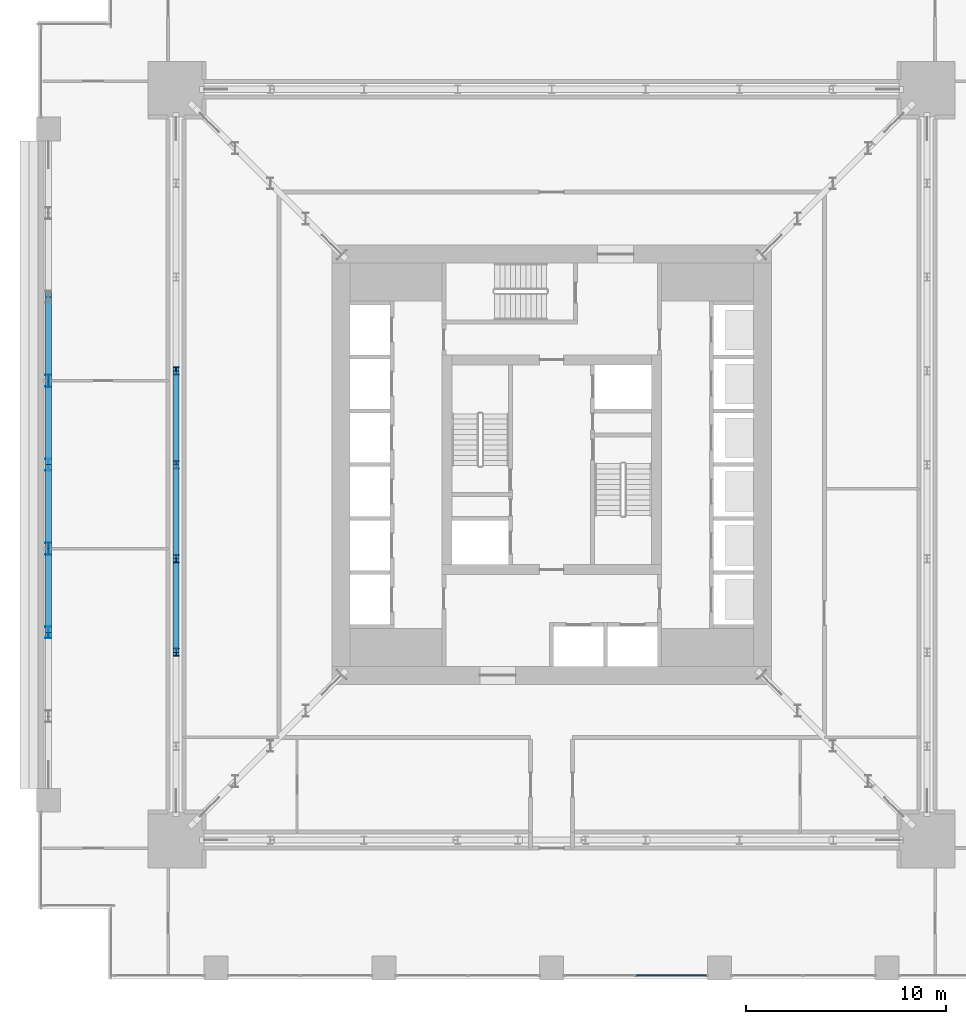
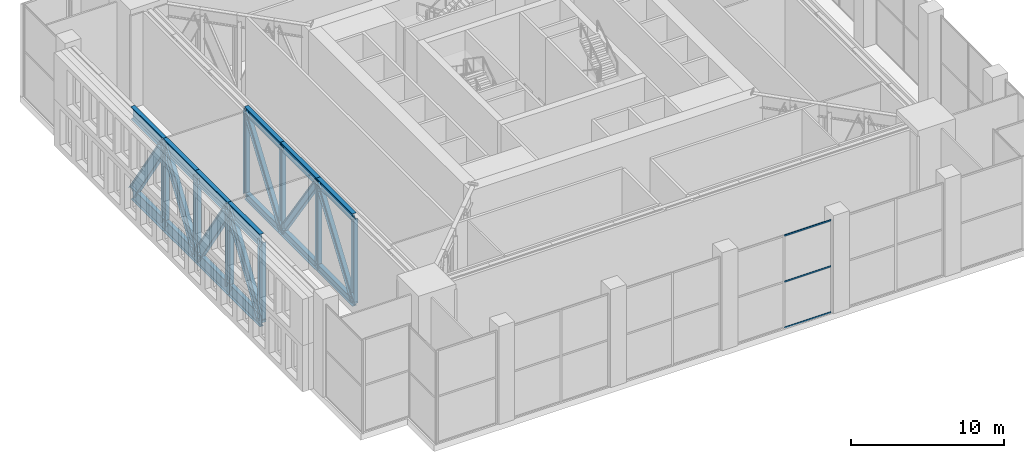
# One storey, part 4 of 21: 32 members, 1 element without a shape of its own.
"""IFC4 building model written with IfcOpenShell, lengths in metres."""

from ifc_helpers import new_model, si_unit, direction, frame, origin, origin_2d, place, context, subcontext, project, spatial, rectangle, i_section, extrude, material, material_profile, profile_set, type_object, element, aggregate, save


model = new_model("IFC4")

# Units and contexts
model_context = context("Model", 3, precision=1e-05, world=origin(), true_north=direction((0.0, 1.0)))
body_context = subcontext(model_context, "Body", "Model", "MODEL_VIEW")
ifc_project = project(units=[si_unit("LENGTHUNIT", "METRE"), si_unit("AREAUNIT", "SQUARE_METRE"), si_unit("VOLUMEUNIT", "CUBIC_METRE"), si_unit("PLANEANGLEUNIT", "RADIAN"), si_unit("MASSUNIT", "GRAM", prefix="KILO")], contexts=[model_context])

# Site, building, storey
site_placement = place(None, origin())
site = spatial("IfcSite", under=ifc_project, at=site_placement, CompositionType="ELEMENT")
building_placement = place(site_placement, origin())
building = spatial("IfcBuilding", under=site, at=building_placement, Name="Khepri Terraces", CompositionType="ELEMENT")
storey_placement = place(building_placement, frame((0.0, 0.0, 126.0)))
storey = spatial("IfcBuildingStorey", under=building, at=storey_placement, Name="L30", CompositionType="ELEMENT", Elevation=126.0)

# Members
ifc_material_1 = material(Name="Steel S355", Category="steel")
ifc_material_profile_1 = material_profile(ifc_material_1, i_section(OverallWidth=0.304931640625, OverallDepth=0.6201171875, WebThickness=0.02099609375, FlangeThickness=0.0400390625, FilletRadius=0.027099609375, at=origin_2d()), Name="Steel S355", Category="steel")
ifc_profile_set_1 = profile_set([ifc_material_profile_1], Name="Steel S355")
member_type_1 = type_object("IfcMemberType", Name="Belt truss chord HEM 600", PredefinedType="CHORD", material=ifc_profile_set_1)
for number, where, z_axis, x_axis, name in (
    (1, (-18.800048828125, 4.699951171875, 0.31005859375), (0.0, -1.0, 0.0), (1.0, 0.0, 0.0), "Belt truss chord BT-30-W bottom 4"),
    (2, (-18.800048828125, 4.699951171875, 7.070068359375), (0.0, -1.0, 0.0), (1.0, 0.0, 0.0), "Belt truss chord BT-30-W top 4"),
    (3, (-18.800048828125, 0.0, 0.31005859375), (0.0, -1.0, 0.0), (1.0, 0.0, 0.0), "Belt truss chord BT-30-W bottom 5"),
    (4, (-18.800048828125, 0.0, 7.070068359375), (0.0, -1.0, 0.0), (1.0, 0.0, 0.0), "Belt truss chord BT-30-W top 5"),
    (5, (-18.800048828125, -4.699951171875, 0.31005859375), (0.0, -1.0, 0.0), (1.0, 0.0, 0.0), "Belt truss chord BT-30-W bottom 6"),
    (6, (-18.800048828125, -4.699951171875, 7.070068359375), (0.0, -1.0, 0.0), (1.0, 0.0, 0.0), "Belt truss chord BT-30-W top 6"),
):
    element("IfcMember", number, at=place(storey_placement, frame(where, z_axis=z_axis, x_axis=x_axis)), inside=storey, type_object=member_type_1, Name=name, PredefinedType="CHORD", context=body_context, shape_type="SweptSolid", body=[
        extrude(i_section(OverallWidth=0.304931640625, OverallDepth=0.6201171875, WebThickness=0.02099609375, FlangeThickness=0.0400390625, FilletRadius=0.027099609375, at=origin_2d()), origin(), (0.0, 0.0, 1.0), 4.699951171875),
    ])
ifc_material_profile_2 = material_profile(ifc_material_1, i_section(OverallWidth=0.300048828125, OverallDepth=0.5, WebThickness=0.014404296875, FlangeThickness=0.028076171875, FilletRadius=0.027099609375, at=origin_2d()), Name="Steel S355", Category="steel")
ifc_profile_set_2 = profile_set([ifc_material_profile_2], Name="Steel S355")
member_type_2 = type_object("IfcMemberType", Name="Belt truss diagonal HEB 500", PredefinedType="BRACE", material=ifc_profile_set_2)
for number, where, z_axis, x_axis, name in (
    (7, (-18.800048828125, 4.699951171875, 7.070068359375), (0.0, -0.570846397071, -0.82105687437), (1.0, 0.0, 0.0), "Belt truss diagonal BT-30-W 4"),
    (8, (-18.800048828125, 0.0, 0.31005859375), (0.0, -0.570846397071, 0.82105687437), (1.0, 0.0, 0.0), "Belt truss diagonal BT-30-W 5"),
    (9, (-18.800048828125, -4.699951171875, 7.070068359375), (0.0, -0.570846397071, -0.82105687437), (1.0, 0.0, 0.0), "Belt truss diagonal BT-30-W 6"),
):
    element("IfcMember", number, at=place(storey_placement, frame(where, z_axis=z_axis, x_axis=x_axis)), inside=storey, type_object=member_type_2, Name=name, PredefinedType="BRACE", context=body_context, shape_type="SweptSolid", body=[
        extrude(i_section(OverallWidth=0.300048828125, OverallDepth=0.5, WebThickness=0.014404296875, FlangeThickness=0.028076171875, FilletRadius=0.027099609375, at=origin_2d()), origin(), (0.0, 0.0, 1.0), 8.2333984375),
    ])
ifc_material_profile_3 = material_profile(ifc_material_1, i_section(OverallWidth=0.300048828125, OverallDepth=0.39990234375, WebThickness=0.013427734375, FlangeThickness=0.02392578125, FilletRadius=0.027099609375, at=origin_2d()), Name="Steel S355", Category="steel")
ifc_profile_set_3 = profile_set([ifc_material_profile_3], Name="Steel S355")
member_type_3 = type_object("IfcMemberType", Name="Belt truss post HEB 400", PredefinedType="POST", material=ifc_profile_set_3)
for number, where, z_axis, x_axis, name in (
    (10, (-18.800048828125, 4.699951171875, 0.31005859375), (0.0, 0.0, 1.0), (1.0, 0.0, 0.0), "Belt truss post BT-30-W 3"),
    (11, (-18.800048828125, 0.0, 0.31005859375), (0.0, 0.0, 1.0), (1.0, 0.0, 0.0), "Belt truss post BT-30-W 4"),
    (12, (-18.800048828125, -4.699951171875, 0.31005859375), (0.0, 0.0, 1.0), (1.0, 0.0, 0.0), "Belt truss post BT-30-W 5"),
    (13, (-18.800048828125, -9.39990234375, 0.31005859375), (0.0, 0.0, 1.0), (1.0, 0.0, 0.0), "Belt truss post BT-30-W 6"),
):
    element("IfcMember", number, at=place(storey_placement, frame(where, z_axis=z_axis, x_axis=x_axis)), inside=storey, type_object=member_type_3, Name=name, PredefinedType="POST", context=body_context, shape_type="SweptSolid", body=[
        extrude(i_section(OverallWidth=0.300048828125, OverallDepth=0.39990234375, WebThickness=0.013427734375, FlangeThickness=0.02392578125, FilletRadius=0.027099609375, at=origin_2d()), origin(), (0.0, 0.0, 1.0), 6.760009765625),
    ])

# Curtain wall, members
ifc_material_2 = material(Name="Anodised aluminium bronze curtain wall", Category="aluminium")
curtain_wall_type = type_object("IfcCurtainWallType", Name="CW-SYS3-SKY", PredefinedType="NOTDEFINED", material=ifc_material_2)
curtain_wall_placement = place(storey_placement, origin())
curtain_wall = element("IfcCurtainWall", 14, at=curtain_wall_placement, inside=storey, type_object=curtain_wall_type, Name="Curtain wall CW3 L30 S", PredefinedType="NOTDEFINED")
ifc_material_3 = material(Name="Anodised aluminium bronze", Category="aluminium")
ifc_material_profile_4 = material_profile(ifc_material_3, rectangle(XDim=0.06005859375, YDim=0.1201171875, at=origin_2d()), Name="Anodised aluminium bronze", Category="aluminium")
ifc_profile_set_4 = profile_set([ifc_material_profile_4], Name="Anodised aluminium bronze")
member_type_4 = type_object("IfcMemberType", Name="CW-TRANSOM-60x120", PredefinedType="USERDEFINED", material=ifc_profile_set_4)
member_1_placement = place(storey_placement, frame((4.22998046875, -25.570068359375, 0.030029296875), z_axis=(1.0, 0.0, 0.0), x_axis=(0.0, 1.0, 0.0)))
member_1 = element("IfcMember", 15, at=member_1_placement, type_object=member_type_4, Name="CW3 transom 2.1", ObjectType="TRANSOM", PredefinedType="USERDEFINED", context=body_context, shape_type="SweptSolid", body=[
    extrude(rectangle(XDim=0.06005859375, YDim=0.1201171875, at=origin_2d()), origin(), (0.0, 0.0, 1.0), 3.510009765625),
])
member_2_placement = place(storey_placement, frame((4.22998046875, -25.570068359375, 3.68994140625), z_axis=(1.0, 0.0, 0.0), x_axis=(0.0, 1.0, 0.0)))
member_2 = element("IfcMember", 16, at=member_2_placement, type_object=member_type_4, Name="CW3 transom 2.2", ObjectType="TRANSOM", PredefinedType="USERDEFINED", context=body_context, shape_type="SweptSolid", body=[
    extrude(rectangle(XDim=0.06005859375, YDim=0.1201171875, at=origin_2d()), origin(), (0.0, 0.0, 1.0), 3.510009765625),
])
member_3_placement = place(storey_placement, frame((4.22998046875, -25.570068359375, 7.35009765625), z_axis=(1.0, 0.0, 0.0), x_axis=(0.0, 1.0, 0.0)))
member_3 = element("IfcMember", 17, at=member_3_placement, type_object=member_type_4, Name="CW3 transom 2.3", ObjectType="TRANSOM", PredefinedType="USERDEFINED", context=body_context, shape_type="SweptSolid", body=[
    extrude(rectangle(XDim=0.06005859375, YDim=0.1201171875, at=origin_2d()), origin(), (0.0, 0.0, 1.0), 3.510009765625),
])
aggregate(curtain_wall, [member_1, member_2, member_3])

# Members
ifc_material_profile_5 = material_profile(ifc_material_1, i_section(OverallWidth=0.302001953125, OverallDepth=1.008056640625, WebThickness=0.02099609375, FlangeThickness=0.0400390625, FilletRadius=0.030029296875, at=origin_2d()), Name="Steel S355", Category="steel")
ifc_profile_set_5 = profile_set([ifc_material_profile_5], Name="Steel S355")
member_type_5 = type_object("IfcMemberType", Name="Transfer truss chord HEM 1000", PredefinedType="CHORD", material=ifc_profile_set_5)
for number, where, z_axis, x_axis, name in (
    (18, (-25.199951171875, 8.39990234375, 0.50390625), (0.0, -1.0, 0.0), (1.0, 0.0, 0.0), "Transfer truss chord TT-30-W bottom 3"),
    (19, (-25.199951171875, 8.39990234375, 6.8759765625), (0.0, -1.0, 0.0), (1.0, 0.0, 0.0), "Transfer truss chord TT-30-W top 3"),
    (20, (-25.199951171875, 4.199951171875, 0.50390625), (0.0, -1.0, 0.0), (1.0, 0.0, 0.0), "Transfer truss chord TT-30-W bottom 4"),
    (21, (-25.199951171875, 4.199951171875, 6.8759765625), (0.0, -1.0, 0.0), (1.0, 0.0, 0.0), "Transfer truss chord TT-30-W top 4"),
    (22, (-25.199951171875, 0.0, 0.50390625), (0.0, -1.0, 0.0), (1.0, 0.0, 0.0), "Transfer truss chord TT-30-W bottom 5"),
    (23, (-25.199951171875, 0.0, 6.8759765625), (0.0, -1.0, 0.0), (1.0, 0.0, 0.0), "Transfer truss chord TT-30-W top 5"),
    (24, (-25.199951171875, -4.199951171875, 0.50390625), (0.0, -1.0, 0.0), (1.0, 0.0, 0.0), "Transfer truss chord TT-30-W bottom 6"),
    (25, (-25.199951171875, -4.199951171875, 6.8759765625), (0.0, -1.0, 0.0), (1.0, 0.0, 0.0), "Transfer truss chord TT-30-W top 6"),
):
    element("IfcMember", number, at=place(storey_placement, frame(where, z_axis=z_axis, x_axis=x_axis)), inside=storey, type_object=member_type_5, Name=name, PredefinedType="CHORD", context=body_context, shape_type="SweptSolid", body=[
        extrude(i_section(OverallWidth=0.302001953125, OverallDepth=1.008056640625, WebThickness=0.02099609375, FlangeThickness=0.0400390625, FilletRadius=0.030029296875, at=origin_2d()), origin(), (0.0, 0.0, 1.0), 4.199951171875),
    ])
ifc_material_profile_6 = material_profile(ifc_material_1, i_section(OverallWidth=0.300048828125, OverallDepth=0.800048828125, WebThickness=0.017578125, FlangeThickness=0.032958984375, FilletRadius=0.030029296875, at=origin_2d()), Name="Steel S355", Category="steel")
ifc_profile_set_6 = profile_set([ifc_material_profile_6], Name="Steel S355")
member_type_6 = type_object("IfcMemberType", Name="Transfer truss diagonal HEB 800", PredefinedType="BRACE", material=ifc_profile_set_6)
for number, where, z_axis, x_axis, name in (
    (26, (-25.199951171875, 8.39990234375, 0.50390625), (0.0, -0.550329581828, 0.834947514138), (1.0, 0.0, 0.0), "Transfer truss diagonal TT-30-W 3"),
    (27, (-25.199951171875, 4.199951171875, 6.8759765625), (0.0, -0.550329581828, -0.834947514138), (1.0, 0.0, 0.0), "Transfer truss diagonal TT-30-W 4"),
    (28, (-25.199951171875, 0.0, 0.50390625), (0.0, -0.550329581828, 0.834947514138), (1.0, 0.0, 0.0), "Transfer truss diagonal TT-30-W 5"),
    (29, (-25.199951171875, -4.199951171875, 6.8759765625), (0.0, -0.550329581828, -0.834947514138), (1.0, 0.0, 0.0), "Transfer truss diagonal TT-30-W 6"),
):
    element("IfcMember", number, at=place(storey_placement, frame(where, z_axis=z_axis, x_axis=x_axis)), inside=storey, type_object=member_type_6, Name=name, PredefinedType="BRACE", context=body_context, shape_type="SweptSolid", body=[
        extrude(i_section(OverallWidth=0.300048828125, OverallDepth=0.800048828125, WebThickness=0.017578125, FlangeThickness=0.032958984375, FilletRadius=0.030029296875, at=origin_2d()), origin(), (0.0, 0.0, 1.0), 7.631591796875),
    ])
ifc_material_profile_7 = material_profile(ifc_material_1, i_section(OverallWidth=0.300048828125, OverallDepth=0.60009765625, WebThickness=0.015380859375, FlangeThickness=0.030029296875, FilletRadius=0.027099609375, at=origin_2d()), Name="Steel S355", Category="steel")
ifc_profile_set_7 = profile_set([ifc_material_profile_7], Name="Steel S355")
member_type_7 = type_object("IfcMemberType", Name="Transfer truss post HEB 600", PredefinedType="POST", material=ifc_profile_set_7)
for number, where, z_axis, x_axis, name in (
    (30, (-25.199951171875, 4.199951171875, 0.50390625), (0.0, 0.0, 1.0), (1.0, 0.0, 0.0), "Transfer truss post TT-30-W 3"),
    (31, (-25.199951171875, 0.0, 0.50390625), (0.0, 0.0, 1.0), (1.0, 0.0, 0.0), "Transfer truss post TT-30-W 4"),
    (32, (-25.199951171875, -4.199951171875, 0.50390625), (0.0, 0.0, 1.0), (1.0, 0.0, 0.0), "Transfer truss post TT-30-W 5"),
    (33, (-25.199951171875, -8.39990234375, 0.50390625), (0.0, 0.0, 1.0), (1.0, 0.0, 0.0), "Transfer truss post TT-30-W 6"),
):
    element("IfcMember", number, at=place(storey_placement, frame(where, z_axis=z_axis, x_axis=x_axis)), inside=storey, type_object=member_type_7, Name=name, PredefinedType="POST", context=body_context, shape_type="SweptSolid", body=[
        extrude(i_section(OverallWidth=0.300048828125, OverallDepth=0.60009765625, WebThickness=0.015380859375, FlangeThickness=0.030029296875, FilletRadius=0.027099609375, at=origin_2d()), origin(), (0.0, 0.0, 1.0), 6.3720703125),
    ])

save(model, "model.ifc")
